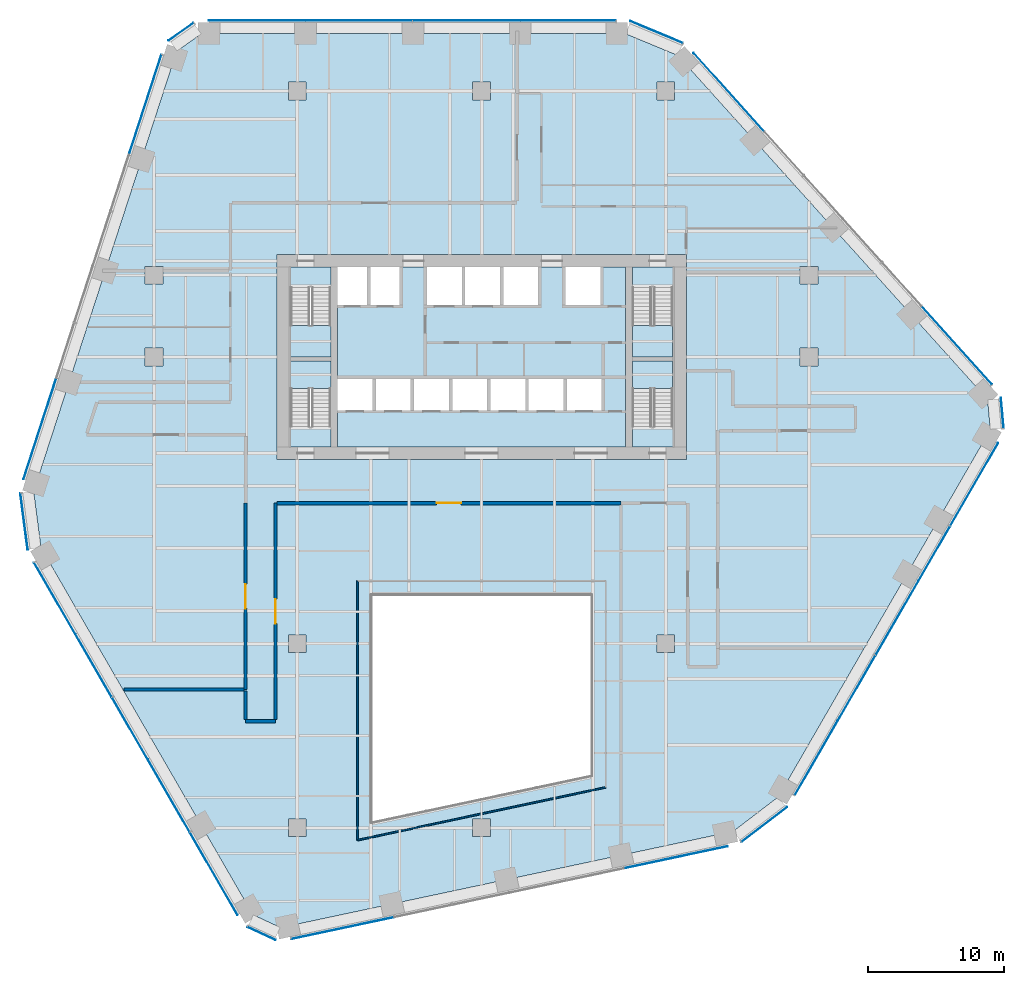
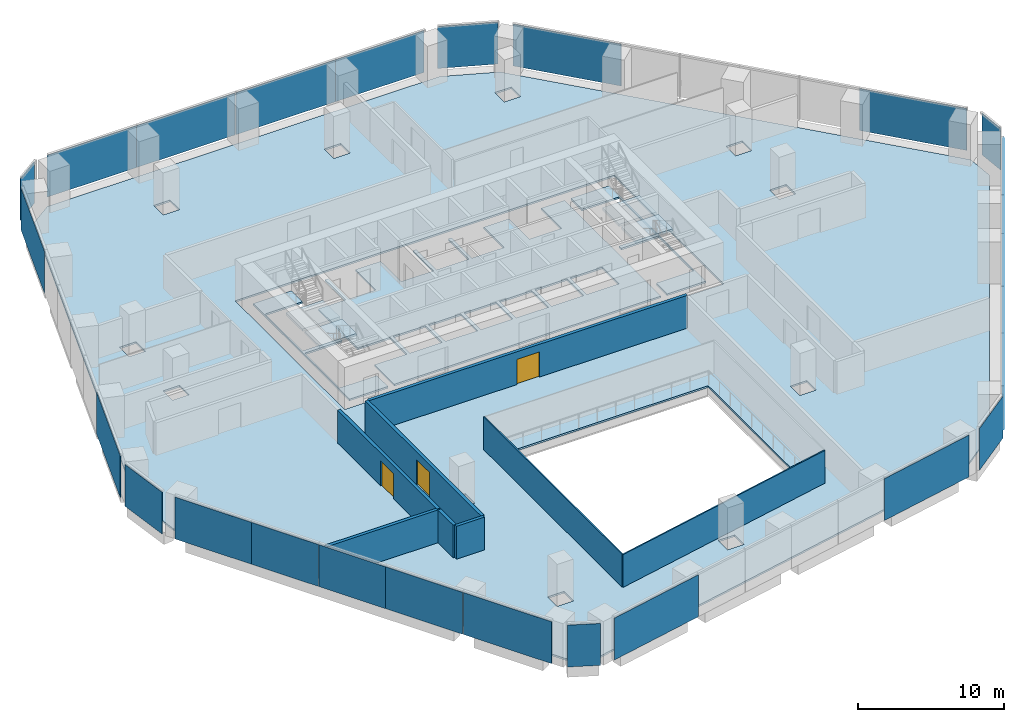
# One storey, part 13 of 19: 26 plates, 8 slabs, 8 walls, 3 doors, 3 openings, 16 elements without a shape of their own.
"""IFC4 building model written with IfcOpenShell, lengths in metres."""

from ifc_helpers import new_model, si_unit, direction, frame, frame_2d, origin, origin_2d, place, context, subcontext, project, spatial, polyline, rectangle, outline, extrude, material, layer, layer_set, type_object, element, fill, aggregate, save


model = new_model("IFC4")

# Units and contexts
model_context = context("Model", 3, precision=1e-05, world=origin(), true_north=direction((0.0, 1.0)))
body_context = subcontext(model_context, "Body", "Model", "MODEL_VIEW")
ifc_project = project(units=[si_unit("LENGTHUNIT", "METRE"), si_unit("AREAUNIT", "SQUARE_METRE"), si_unit("VOLUMEUNIT", "CUBIC_METRE"), si_unit("PLANEANGLEUNIT", "RADIAN"), si_unit("MASSUNIT", "GRAM", prefix="KILO")], contexts=[model_context])

# Site, building, storey
site_placement = place(None, origin())
site = spatial("IfcSite", under=ifc_project, at=site_placement, CompositionType="ELEMENT")
building_placement = place(site_placement, origin())
building = spatial("IfcBuilding", under=site, at=building_placement, Name="Isthmus Gate Tower", CompositionType="ELEMENT")
storey_placement = place(building_placement, frame((0.0, 0.0, 87.949951171875)))
storey = spatial("IfcBuildingStorey", under=building, at=storey_placement, Name="L20", CompositionType="ELEMENT", Elevation=87.949951171875)

# Slabs
ifc_material_1 = material(Name="Concrete f'c 40 MPa", Category="concrete")
ifc_layer_1 = layer(ifc_material_1, 0.14990234375)
ifc_layer_set_1 = layer_set([ifc_layer_1], Name="COMPOSITE FLOOR SLAB 150")
slab_type_1 = type_object("IfcSlabType", Name="COMPOSITE FLOOR SLAB 150", PredefinedType="FLOOR", material=ifc_layer_set_1)
slab_1_placement = place(storey_placement, frame((0.0, 0.0, -0.14990234375)))
element("IfcSlab", 1, at=slab_1_placement, inside=storey, type_object=slab_type_1, Name="str-slab-L20-1", PredefinedType="FLOOR", context=body_context, shape_type="SweptSolid", body=[
    extrude(outline(polyline([(14.391357421875, 29.599365234375), (37.081787109375, 4.399169921875), (37.281494140625, 2.17333984375), (21.748779296875, -24.729736328125), (18.438232421875, -27.262939453125), (-14.73095703125, -34.313232421875), (-16.758544921875, -33.373291015625), (-32.291015625, -6.47021484375), (-32.82958984375, -2.33642578125), (-22.3505859375, 29.9140625), (-20.52294921875, 31.199951171875), (10.542236328125, 31.199951171875), (14.391357421875, 29.599365234375)]), holes=[polyline([(-14.14990234375, -27.64990234375), (-12.85009765625, -27.64990234375), (-12.85009765625, -26.35009765625), (-14.14990234375, -26.35009765625), (-14.14990234375, -27.64990234375)]), polyline([(-0.64990234375, -26.35009765625), (-0.64990234375, -27.64990234375), (0.64990234375, -27.64990234375), (0.64990234375, -26.35009765625), (-0.64990234375, -26.35009765625)]), polyline([(-14.14990234375, -12.85009765625), (-14.14990234375, -14.14990234375), (-12.85009765625, -14.14990234375), (-12.85009765625, -12.85009765625), (-14.14990234375, -12.85009765625)]), polyline([(-24.64990234375, 8.14990234375), (-24.64990234375, 6.85009765625), (-23.35009765625, 6.85009765625), (-23.35009765625, 8.14990234375), (-24.64990234375, 8.14990234375)]), polyline([(-23.35009765625, 14.14990234375), (-24.64990234375, 14.14990234375), (-24.64990234375, 12.85009765625), (-23.35009765625, 12.85009765625), (-23.35009765625, 14.14990234375)]), polyline([(-14.14990234375, 27.64990234375), (-14.14990234375, 26.35009765625), (-12.85009765625, 26.35009765625), (-12.85009765625, 27.64990234375), (-14.14990234375, 27.64990234375)]), polyline([(-0.64990234375, 27.64990234375), (-0.64990234375, 26.35009765625), (0.64990234375, 26.35009765625), (0.64990234375, 27.64990234375), (-0.64990234375, 27.64990234375)]), polyline([(8.0, -23.143310546875), (8.0, -10.0), (-8.0, -10.0), (-8.0, -26.544189453125), (8.0, -23.143310546875)]), polyline([(14.14990234375, -12.85009765625), (12.85009765625, -12.85009765625), (12.85009765625, -14.14990234375), (14.14990234375, -14.14990234375), (14.14990234375, -12.85009765625)]), polyline([(15.0, 15.0), (-15.0, 15.0), (-15.0, 0.0), (15.0, 0.0), (15.0, 15.0)]), polyline([(24.64990234375, 8.14990234375), (23.35009765625, 8.14990234375), (23.35009765625, 6.85009765625), (24.64990234375, 6.85009765625), (24.64990234375, 8.14990234375)]), polyline([(23.35009765625, 14.14990234375), (23.35009765625, 12.85009765625), (24.64990234375, 12.85009765625), (24.64990234375, 14.14990234375), (23.35009765625, 14.14990234375)]), polyline([(14.14990234375, 27.64990234375), (12.85009765625, 27.64990234375), (12.85009765625, 26.35009765625), (14.14990234375, 26.35009765625), (14.14990234375, 27.64990234375)])]), origin(), (0.0, 0.0, 1.0), 0.14990234375),
])
ifc_material_2 = material(Name="Concrete f'c 40 MPa", Category="concrete")
ifc_layer_2 = layer(ifc_material_2, 0.14990234375)
ifc_layer_set_2 = layer_set([ifc_layer_2], Name="CORE FLOOR SLAB 150")
slab_type_2 = type_object("IfcSlabType", Name="CORE FLOOR SLAB 150", PredefinedType="FLOOR", material=ifc_layer_set_2)
slab_2_placement = place(storey_placement, frame((0.0, 0.0, -0.14990234375)))
element("IfcSlab", 2, at=slab_2_placement, inside=storey, type_object=slab_type_2, Name="L20 core floor", PredefinedType="FLOOR", context=body_context, shape_type="SweptSolid", body=[
    extrude(outline(polyline([(-11.050048828125, 0.89990234375), (-11.050048828125, 2.402099609375), (-14.0, 2.402099609375), (-14.0, 7.199951171875), (-11.050048828125, 7.199951171875), (-11.050048828125, 7.5), (-14.0, 7.5), (-14.0, 12.597900390625), (-11.050048828125, 12.597900390625), (-11.050048828125, 14.10009765625), (-14.10009765625, 14.10009765625), (-14.10009765625, 0.89990234375), (-11.050048828125, 0.89990234375)])), origin(), (0.0, 0.0, 1.0), 0.14990234375),
])
slab_3_placement = place(storey_placement, frame((0.0, 0.0, -0.14990234375)))
element("IfcSlab", 3, at=slab_3_placement, inside=storey, type_object=slab_type_2, Name="L20 core floor", PredefinedType="FLOOR", context=body_context, shape_type="SweptSolid", body=[
    extrude(outline(polyline([(10.550048828125, 14.10009765625), (8.699951171875, 14.10009765625), (8.699951171875, 11.300048828125), (6.14990234375, 11.300048828125), (6.14990234375, 14.10009765625), (4.14990234375, 14.10009765625), (4.14990234375, 11.300048828125), (1.60009765625, 11.300048828125), (1.60009765625, 14.10009765625), (1.35009765625, 14.10009765625), (1.35009765625, 11.300048828125), (-1.199951171875, 11.300048828125), (-1.199951171875, 14.10009765625), (-1.449951171875, 14.10009765625), (-1.449951171875, 11.300048828125), (-4.0, 11.300048828125), (-4.0, 14.10009765625), (-6.0, 14.10009765625), (-6.0, 11.300048828125), (-8.14990234375, 11.300048828125), (-8.14990234375, 14.10009765625), (-8.39990234375, 14.10009765625), (-8.39990234375, 11.300048828125), (-10.550048828125, 11.300048828125), (-10.550048828125, 5.89990234375), (-8.0, 5.89990234375), (-8.0, 3.60009765625), (-10.550048828125, 3.60009765625), (-10.550048828125, 0.89990234375), (10.550048828125, 0.89990234375), (10.550048828125, 14.10009765625)]), holes=[polyline([(-5.199951171875, 5.89990234375), (-5.199951171875, 3.60009765625), (-7.75, 3.60009765625), (-7.75, 5.89990234375), (-5.199951171875, 5.89990234375)]), polyline([(-2.39990234375, 5.89990234375), (-2.39990234375, 3.60009765625), (-4.949951171875, 3.60009765625), (-4.949951171875, 5.89990234375), (-2.39990234375, 5.89990234375)]), polyline([(0.39990234375, 5.89990234375), (0.39990234375, 3.60009765625), (-2.14990234375, 3.60009765625), (-2.14990234375, 5.89990234375), (0.39990234375, 5.89990234375)]), polyline([(3.199951171875, 5.89990234375), (3.199951171875, 3.60009765625), (0.64990234375, 3.60009765625), (0.64990234375, 5.89990234375), (3.199951171875, 5.89990234375)]), polyline([(6.0, 5.89990234375), (6.0, 3.60009765625), (3.449951171875, 3.60009765625), (3.449951171875, 5.89990234375), (6.0, 5.89990234375)]), polyline([(8.800048828125, 5.89990234375), (8.800048828125, 3.60009765625), (6.25, 3.60009765625), (6.25, 5.89990234375), (8.800048828125, 5.89990234375)])]), origin(), (0.0, 0.0, 1.0), 0.14990234375),
])
slab_4_placement = place(storey_placement, frame((0.0, 0.0, -0.14990234375)))
element("IfcSlab", 4, at=slab_4_placement, inside=storey, type_object=slab_type_2, Name="L20 core floor", PredefinedType="FLOOR", context=body_context, shape_type="SweptSolid", body=[
    extrude(outline(polyline([(11.050048828125, 14.10009765625), (11.050048828125, 12.597900390625), (14.0, 12.597900390625), (14.0, 7.5), (11.050048828125, 7.5), (11.050048828125, 7.199951171875), (14.0, 7.199951171875), (14.0, 2.402099609375), (11.050048828125, 2.402099609375), (11.050048828125, 0.89990234375), (14.10009765625, 0.89990234375), (14.10009765625, 14.10009765625), (11.050048828125, 14.10009765625)])), origin(), (0.0, 0.0, 1.0), 0.14990234375),
])

# Curtain wall, plates
ifc_material_3 = material(Name="Aluminium, pale champagne anodised", Category="aluminium")
ifc_layer_3 = layer(ifc_material_3, 0.199951171875)
ifc_layer_set_3 = layer_set([ifc_layer_3], Name="CW-1 UNITISED CURTAIN WALL 200 DEEP")
curtain_wall_type = type_object("IfcCurtainWallType", Name="CW-1 UNITISED CURTAIN WALL 200 DEEP", PredefinedType="NOTDEFINED", material=ifc_layer_set_3)
curtain_wall_1_placement = place(storey_placement, origin())
curtain_wall_1 = element("IfcCurtainWall", 5, at=curtain_wall_1_placement, inside=storey, type_object=curtain_wall_type, Name="CW-1 N L20", PredefinedType="NOTDEFINED")
ifc_material_4 = material(Name="Laminated low-iron glass, pale blue tint", Category="glass")
ifc_layer_4 = layer(ifc_material_4, 0.0400390625)
ifc_layer_set_4 = layer_set([ifc_layer_4], Name="CW-1 CLEAR GLASS LITE 40")
plate_type = type_object("IfcPlateType", Name="CW-1 CLEAR GLASS LITE 40", PredefinedType="CURTAIN_PANEL", material=ifc_layer_set_4)
plate_1_placement = place(storey_placement, frame((6.337158203125, 32.179931640625, 0.0), z_axis=(0.0, 0.0, 1.0), x_axis=(-1.0, 0.0, 0.0)))
plate_1 = element("IfcPlate", 6, at=plate_1_placement, type_object=plate_type, Name="CW-1 glass lite", PredefinedType="CURTAIN_PANEL", context=body_context, shape_type="SweptSolid", body=[
    extrude(rectangle(XDim=7.009521484375, YDim=0.0400390625, at=origin_2d()), origin(), (0.0, 0.0, 1.0), 3.5),
])
plate_2_placement = place(storey_placement, frame((-1.1025390625, 32.179931640625, 0.0), z_axis=(0.0, 0.0, 1.0), x_axis=(-1.0, 0.0, 0.0)))
plate_2 = element("IfcPlate", 7, at=plate_2_placement, type_object=plate_type, Name="CW-1 glass lite", PredefinedType="CURTAIN_PANEL", context=body_context, shape_type="SweptSolid", body=[
    extrude(rectangle(XDim=7.86962890625, YDim=0.0400390625, at=origin_2d()), origin(), (0.0, 0.0, 1.0), 3.5),
])
plate_3_placement = place(storey_placement, frame((-9.001953125, 32.179931640625, 0.0), z_axis=(0.0, 0.0, 1.0), x_axis=(-1.0, 0.0, 0.0)))
plate_3 = element("IfcPlate", 8, at=plate_3_placement, type_object=plate_type, Name="CW-1 glass lite", PredefinedType="CURTAIN_PANEL", context=body_context, shape_type="SweptSolid", body=[
    extrude(rectangle(XDim=7.8095703125, YDim=0.0400390625, at=origin_2d()), origin(), (0.0, 0.0, 1.0), 3.5),
])
plate_4_placement = place(storey_placement, frame((-16.44140625, 32.179931640625, 0.0), z_axis=(0.0, 0.0, 1.0), x_axis=(-1.0, 0.0, 0.0)))
plate_4 = element("IfcPlate", 9, at=plate_4_placement, type_object=plate_type, Name="CW-1 glass lite", PredefinedType="CURTAIN_PANEL", context=body_context, shape_type="SweptSolid", body=[
    extrude(rectangle(XDim=7.069580078125, YDim=0.0400390625, at=origin_2d()), origin(), (0.0, 0.0, 1.0), 3.5),
])
aggregate(curtain_wall_1, [plate_1, plate_2, plate_3, plate_4])

# Curtain wall, plate
curtain_wall_2_placement = place(storey_placement, origin())
curtain_wall_2 = element("IfcCurtainWall", 10, at=curtain_wall_2_placement, inside=storey, type_object=curtain_wall_type, Name="CW-1 N-NW L20", PredefinedType="NOTDEFINED")
plate_5_placement = place(storey_placement, frame((-22.025146484375, 31.341552734375, 0.0), z_axis=(0.0, 0.0, 1.0), x_axis=(-0.81785959165, -0.57541783805, 0.0)))
plate_5 = element("IfcPlate", 11, at=plate_5_placement, type_object=plate_type, Name="CW-1 glass lite", PredefinedType="CURTAIN_PANEL", context=body_context, shape_type="SweptSolid", body=[
    extrude(rectangle(XDim=2.258544921875, YDim=0.0400390625, at=origin_2d()), origin(), (0.0, 0.0, 1.0), 3.5),
])
aggregate(curtain_wall_2, [plate_5])

# Curtain wall, plates
curtain_wall_3_placement = place(storey_placement, origin())
curtain_wall_3 = element("IfcCurtainWall", 12, at=curtain_wall_3_placement, inside=storey, type_object=curtain_wall_type, Name="CW-1 NW L20", PredefinedType="NOTDEFINED")
plate_6_placement = place(storey_placement, frame((-24.660400390625, 25.97705078125, 0.0), z_axis=(0.0, 0.0, 1.0), x_axis=(-0.309016994375, -0.951056516295, 0.0)))
plate_6 = element("IfcPlate", 13, at=plate_6_placement, type_object=plate_type, Name="CW-1 glass lite", PredefinedType="CURTAIN_PANEL", context=body_context, shape_type="SweptSolid", body=[
    extrude(rectangle(XDim=7.729248046875, YDim=0.0400390625, at=origin_2d()), origin(), (0.0, 0.0, 1.0), 3.5),
])
plate_7_placement = place(storey_placement, frame((-32.36669921875, 2.259765625, 0.0), z_axis=(0.0, 0.0, 1.0), x_axis=(-0.309016994375, -0.951056516295, 0.0)))
plate_7 = element("IfcPlate", 14, at=plate_7_placement, type_object=plate_type, Name="CW-1 glass lite", PredefinedType="CURTAIN_PANEL", context=body_context, shape_type="SweptSolid", body=[
    extrude(rectangle(XDim=7.789306640625, YDim=0.0400390625, at=origin_2d()), origin(), (0.0, 0.0, 1.0), 3.5),
])
aggregate(curtain_wall_3, [plate_6, plate_7])

# Curtain wall, plate
curtain_wall_4_placement = place(storey_placement, origin())
curtain_wall_4 = element("IfcCurtainWall", 15, at=curtain_wall_4_placement, inside=storey, type_object=curtain_wall_type, Name="CW-1 NW-SW L20", PredefinedType="NOTDEFINED")
plate_8_placement = place(storey_placement, frame((-33.5283203125, -4.558349609375, 0.0), z_axis=(0.0, 0.0, 1.0), x_axis=(0.129164534, -0.991623175988, 0.0)))
plate_8 = element("IfcPlate", 16, at=plate_8_placement, type_object=plate_type, Name="CW-1 glass lite", PredefinedType="CURTAIN_PANEL", context=body_context, shape_type="SweptSolid", body=[
    extrude(rectangle(XDim=4.181396484375, YDim=0.0400390625, at=origin_2d()), origin(), (0.0, 0.0, 1.0), 3.5),
])
aggregate(curtain_wall_4, [plate_8])

# Curtain wall, plates
curtain_wall_5_placement = place(storey_placement, origin())
curtain_wall_5 = element("IfcCurtainWall", 17, at=curtain_wall_5_placement, inside=storey, type_object=curtain_wall_type, Name="CW-1 SW L20", PredefinedType="NOTDEFINED")
plate_9_placement = place(storey_placement, frame((-31.277587890625, -10.185791015625, 0.0), z_axis=(0.0, 0.0, 1.0), x_axis=(0.5, -0.866025403784, 0.0)))
plate_9 = element("IfcPlate", 18, at=plate_9_placement, type_object=plate_type, Name="CW-1 glass lite", PredefinedType="CURTAIN_PANEL", context=body_context, shape_type="SweptSolid", body=[
    extrude(rectangle(XDim=6.048583984375, YDim=0.0400390625, at=origin_2d()), origin(), (0.0, 0.0, 1.0), 3.5),
])
plate_10_placement = place(storey_placement, frame((-28.438232421875, -15.103759765625, 0.0), z_axis=(0.0, 0.0, 1.0), x_axis=(0.5, -0.866025403784, 0.0)))
plate_10 = element("IfcPlate", 19, at=plate_10_placement, type_object=plate_type, Name="CW-1 glass lite", PredefinedType="CURTAIN_PANEL", context=body_context, shape_type="SweptSolid", body=[
    extrude(rectangle(XDim=5.30859375, YDim=0.0400390625, at=origin_2d()), origin(), (0.0, 0.0, 1.0), 3.5),
])
plate_11_placement = place(storey_placement, frame((-25.768798828125, -19.72705078125, 0.0), z_axis=(0.0, 0.0, 1.0), x_axis=(0.5, -0.866025403784, 0.0)))
plate_11 = element("IfcPlate", 20, at=plate_11_placement, type_object=plate_type, Name="CW-1 glass lite", PredefinedType="CURTAIN_PANEL", context=body_context, shape_type="SweptSolid", body=[
    extrude(rectangle(XDim=5.24853515625, YDim=0.0400390625, at=origin_2d()), origin(), (0.0, 0.0, 1.0), 3.5),
])
plate_12_placement = place(storey_placement, frame((-22.929443359375, -24.644775390625, 0.0), z_axis=(0.0, 0.0, 1.0), x_axis=(0.5, -0.866025403784, 0.0)))
plate_12 = element("IfcPlate", 21, at=plate_12_placement, type_object=plate_type, Name="CW-1 glass lite", PredefinedType="CURTAIN_PANEL", context=body_context, shape_type="SweptSolid", body=[
    extrude(rectangle(XDim=6.108642578125, YDim=0.0400390625, at=origin_2d()), origin(), (0.0, 0.0, 1.0), 3.5),
])
plate_13_placement = place(storey_placement, frame((-19.62646484375, -30.365966796875, 0.0), z_axis=(0.0, 0.0, 1.0), x_axis=(0.5, -0.866025403784, 0.0)))
plate_13 = element("IfcPlate", 22, at=plate_13_placement, type_object=plate_type, Name="CW-1 glass lite", PredefinedType="CURTAIN_PANEL", context=body_context, shape_type="SweptSolid", body=[
    extrude(rectangle(XDim=6.983642578125, YDim=0.0400390625, at=origin_2d()), origin(), (0.0, 0.0, 1.0), 3.5),
])
aggregate(curtain_wall_5, [plate_9, plate_10, plate_11, plate_12, plate_13])

# Curtain wall, plate
curtain_wall_6_placement = place(storey_placement, origin())
curtain_wall_6 = element("IfcCurtainWall", 23, at=curtain_wall_6_placement, inside=storey, type_object=curtain_wall_type, Name="CW-1 SW-S L20", PredefinedType="NOTDEFINED")
plate_14_placement = place(storey_placement, frame((-16.1298828125, -34.7451171875, 0.0), z_axis=(0.0, 0.0, 1.0), x_axis=(0.907256261367, -0.420578264073, 0.0)))
plate_14 = element("IfcPlate", 24, at=plate_14_placement, type_object=plate_type, Name="CW-1 glass lite", PredefinedType="CURTAIN_PANEL", context=body_context, shape_type="SweptSolid", body=[
    extrude(rectangle(XDim=2.258544921875, YDim=0.0400390625, at=origin_2d()), origin(), (0.0, 0.0, 1.0), 3.5),
])
aggregate(curtain_wall_6, [plate_14])

# Curtain wall, plates
curtain_wall_7_placement = place(storey_placement, origin())
curtain_wall_7 = element("IfcCurtainWall", 25, at=curtain_wall_7_placement, inside=storey, type_object=curtain_wall_type, Name="CW-1 S L20", PredefinedType="NOTDEFINED")
plate_15_placement = place(storey_placement, frame((-10.166748046875, -34.344970703125, 0.0), z_axis=(0.0, 0.0, 1.0), x_axis=(0.978147600734, 0.207911690818, 0.0)))
plate_15 = element("IfcPlate", 26, at=plate_15_placement, type_object=plate_type, Name="CW-1 glass lite", PredefinedType="CURTAIN_PANEL", context=body_context, shape_type="SweptSolid", body=[
    extrude(rectangle(XDim=7.729248046875, YDim=0.0400390625, at=origin_2d()), origin(), (0.0, 0.0, 1.0), 3.5),
])
plate_16_placement = place(storey_placement, frame((14.226318359375, -29.16015625, 0.0), z_axis=(0.0, 0.0, 1.0), x_axis=(0.978147600734, 0.207911690818, 0.0)))
plate_16 = element("IfcPlate", 27, at=plate_16_placement, type_object=plate_type, Name="CW-1 glass lite", PredefinedType="CURTAIN_PANEL", context=body_context, shape_type="SweptSolid", body=[
    extrude(rectangle(XDim=7.789306640625, YDim=0.0400390625, at=origin_2d()), origin(), (0.0, 0.0, 1.0), 3.5),
])
aggregate(curtain_wall_7, [plate_15, plate_16])

# Curtain wall, plate
curtain_wall_8_placement = place(storey_placement, origin())
curtain_wall_8 = element("IfcCurtainWall", 28, at=curtain_wall_8_placement, inside=storey, type_object=curtain_wall_type, Name="CW-1 S-SE L20", PredefinedType="NOTDEFINED")
plate_17_placement = place(storey_placement, frame((20.711669921875, -26.75732421875, 0.0), z_axis=(0.0, 0.0, 1.0), x_axis=(0.794188594387, 0.607671355706, 0.0)))
plate_17 = element("IfcPlate", 29, at=plate_17_placement, type_object=plate_type, Name="CW-1 glass lite", PredefinedType="CURTAIN_PANEL", context=body_context, shape_type="SweptSolid", body=[
    extrude(rectangle(XDim=4.181396484375, YDim=0.0400390625, at=origin_2d()), origin(), (0.0, 0.0, 1.0), 3.5),
])
aggregate(curtain_wall_8, [plate_17])

# Curtain wall, plates
curtain_wall_9_placement = place(storey_placement, origin())
curtain_wall_9 = element("IfcCurtainWall", 30, at=curtain_wall_9_placement, inside=storey, type_object=curtain_wall_type, Name="CW-1 SE L20", PredefinedType="NOTDEFINED")
plate_18_placement = place(storey_placement, frame((24.517333984375, -21.89453125, 0.0), z_axis=(0.0, 0.0, 1.0), x_axis=(0.5, 0.866025403784, 0.0)))
plate_18 = element("IfcPlate", 31, at=plate_18_placement, type_object=plate_type, Name="CW-1 glass lite", PredefinedType="CURTAIN_PANEL", context=body_context, shape_type="SweptSolid", body=[
    extrude(rectangle(XDim=6.278564453125, YDim=0.0400390625, at=origin_2d()), origin(), (0.0, 0.0, 1.0), 3.5),
])
plate_19_placement = place(storey_placement, frame((27.4716796875, -16.777587890625, 0.0), z_axis=(0.0, 0.0, 1.0), x_axis=(0.5, 0.866025403784, 0.0)))
plate_19 = element("IfcPlate", 32, at=plate_19_placement, type_object=plate_type, Name="CW-1 glass lite", PredefinedType="CURTAIN_PANEL", context=body_context, shape_type="SweptSolid", body=[
    extrude(rectangle(XDim=5.53857421875, YDim=0.0400390625, at=origin_2d()), origin(), (0.0, 0.0, 1.0), 3.5),
])
plate_20_placement = place(storey_placement, frame((30.4560546875, -11.608642578125, 0.0), z_axis=(0.0, 0.0, 1.0), x_axis=(0.5, 0.866025403784, 0.0)))
plate_20 = element("IfcPlate", 33, at=plate_20_placement, type_object=plate_type, Name="CW-1 glass lite", PredefinedType="CURTAIN_PANEL", context=body_context, shape_type="SweptSolid", body=[
    extrude(rectangle(XDim=6.278564453125, YDim=0.0400390625, at=origin_2d()), origin(), (0.0, 0.0, 1.0), 3.5),
])
plate_21_placement = place(storey_placement, frame((33.173828125, -6.901123046875, 0.0), z_axis=(0.0, 0.0, 1.0), x_axis=(0.5, 0.866025403784, 0.0)))
plate_21 = element("IfcPlate", 34, at=plate_21_placement, type_object=plate_type, Name="CW-1 glass lite", PredefinedType="CURTAIN_PANEL", context=body_context, shape_type="SweptSolid", body=[
    extrude(rectangle(XDim=4.5927734375, YDim=0.0400390625, at=origin_2d()), origin(), (0.0, 0.0, 1.0), 3.5),
])
plate_22_placement = place(storey_placement, frame((36.1044921875, -1.8251953125, 0.0), z_axis=(0.0, 0.0, 1.0), x_axis=(0.5, 0.866025403784, 0.0)))
plate_22 = element("IfcPlate", 35, at=plate_22_placement, type_object=plate_type, Name="CW-1 glass lite", PredefinedType="CURTAIN_PANEL", context=body_context, shape_type="SweptSolid", body=[
    extrude(rectangle(XDim=7.009521484375, YDim=0.0400390625, at=origin_2d()), origin(), (0.0, 0.0, 1.0), 3.5),
])
aggregate(curtain_wall_9, [plate_18, plate_19, plate_20, plate_21, plate_22])

# Curtain wall, plate
curtain_wall_10_placement = place(storey_placement, origin())
curtain_wall_10 = element("IfcCurtainWall", 36, at=curtain_wall_10_placement, inside=storey, type_object=curtain_wall_type, Name="CW-1 SE-NE L20", PredefinedType="NOTDEFINED")
plate_23_placement = place(storey_placement, frame((38.155029296875, 3.403564453125, 0.0), z_axis=(0.0, 0.0, 1.0), x_axis=(-0.089396669717, 0.995996102123, 0.0)))
plate_23 = element("IfcPlate", 37, at=plate_23_placement, type_object=plate_type, Name="CW-1 glass lite", PredefinedType="CURTAIN_PANEL", context=body_context, shape_type="SweptSolid", body=[
    extrude(rectangle(XDim=2.258544921875, YDim=0.0400390625, at=origin_2d()), origin(), (0.0, 0.0, 1.0), 3.5),
])
aggregate(curtain_wall_10, [plate_23])

# Curtain wall, plates
curtain_wall_11_placement = place(storey_placement, origin())
curtain_wall_11 = element("IfcCurtainWall", 38, at=curtain_wall_11_placement, inside=storey, type_object=curtain_wall_type, Name="CW-1 NE L20", PredefinedType="NOTDEFINED")
plate_24_placement = place(storey_placement, frame((34.826904296875, 8.367919921875, 0.0), z_axis=(0.0, 0.0, 1.0), x_axis=(-0.669130606359, 0.743144825477, 0.0)))
plate_24 = element("IfcPlate", 39, at=plate_24_placement, type_object=plate_type, Name="CW-1 glass lite", PredefinedType="CURTAIN_PANEL", context=body_context, shape_type="SweptSolid", body=[
    extrude(rectangle(XDim=7.729248046875, YDim=0.0400390625, at=origin_2d()), origin(), (0.0, 0.0, 1.0), 3.5),
])
plate_25_placement = place(storey_placement, frame((18.14013671875, 26.900390625, 0.0), z_axis=(0.0, 0.0, 1.0), x_axis=(-0.669130606359, 0.743144825477, 0.0)))
plate_25 = element("IfcPlate", 40, at=plate_25_placement, type_object=plate_type, Name="CW-1 glass lite", PredefinedType="CURTAIN_PANEL", context=body_context, shape_type="SweptSolid", body=[
    extrude(rectangle(XDim=7.789306640625, YDim=0.0400390625, at=origin_2d()), origin(), (0.0, 0.0, 1.0), 3.5),
])
aggregate(curtain_wall_11, [plate_24, plate_25])

# Curtain wall, plate
curtain_wall_12_placement = place(storey_placement, origin())
curtain_wall_12 = element("IfcCurtainWall", 41, at=curtain_wall_12_placement, inside=storey, type_object=curtain_wall_type, Name="CW-1 NE-N L20", PredefinedType="NOTDEFINED")
plate_26_placement = place(storey_placement, frame((12.816650390625, 31.315673828125, 0.0), z_axis=(0.0, 0.0, 1.0), x_axis=(-0.923353128387, 0.383951820282, 0.0)))
plate_26 = element("IfcPlate", 42, at=plate_26_placement, type_object=plate_type, Name="CW-1 glass lite", PredefinedType="CURTAIN_PANEL", context=body_context, shape_type="SweptSolid", body=[
    extrude(rectangle(XDim=4.181396484375, YDim=0.0400390625, at=origin_2d()), origin(), (0.0, 0.0, 1.0), 3.5),
])
aggregate(curtain_wall_12, [plate_26])

# Stair, slab
ifc_material_5 = material(Name="Concrete f'c 40 MPa", Category="concrete")
stair_type = type_object("IfcStairType", Name="CORE STAIR 22 RISERS", PredefinedType="HALF_TURN_STAIR", material=ifc_material_5)
stair_1_placement = place(storey_placement, origin())
stair_1 = element("IfcStair", 43, at=stair_1_placement, inside=storey, type_object=stair_type, Name="L20 Exit Stair 1", PredefinedType="HALF_TURN_STAIR")
ifc_material_6 = material(Name="Concrete f'c 40 MPa", Category="concrete")
ifc_layer_5 = layer(ifc_material_6, 0.199951171875)
ifc_layer_set_5 = layer_set([ifc_layer_5])
slab_type_3 = type_object("IfcSlabType", Name="STAIR LANDING RC 200", PredefinedType="LANDING", material=ifc_layer_set_5)
slab_5_placement = place(storey_placement, frame((0.0, 0.0, 1.625)))
slab_5 = element("IfcSlab", 44, at=slab_5_placement, type_object=slab_type_3, Name="ST1 landing 1", PredefinedType="LANDING", context=body_context, shape_type="SweptSolid", body=[
    extrude(outline(polyline([(-14.0, 9.800048828125), (-14.0, 7.5), (-11.050048828125, 7.5), (-11.050048828125, 9.800048828125), (-14.0, 9.800048828125)])), origin(), (0.0, 0.0, 1.0), 0.199951171875),
])
aggregate(stair_1, [slab_5])

stair_2_placement = place(storey_placement, origin())
stair_2 = element("IfcStair", 45, at=stair_2_placement, inside=storey, type_object=stair_type, Name="L20 Exit Stair 2", PredefinedType="HALF_TURN_STAIR")
slab_6_placement = place(storey_placement, frame((0.0, 0.0, 1.625)))
slab_6 = element("IfcSlab", 46, at=slab_6_placement, type_object=slab_type_3, Name="ST2 landing 1", PredefinedType="LANDING", context=body_context, shape_type="SweptSolid", body=[
    extrude(outline(polyline([(11.050048828125, 9.800048828125), (11.050048828125, 7.5), (14.0, 7.5), (14.0, 9.800048828125), (11.050048828125, 9.800048828125)])), origin(), (0.0, 0.0, 1.0), 0.199951171875),
])
aggregate(stair_2, [slab_6])

stair_3_placement = place(storey_placement, origin())
stair_3 = element("IfcStair", 47, at=stair_3_placement, inside=storey, type_object=stair_type, Name="L20 Exit Stair 7", PredefinedType="HALF_TURN_STAIR")
slab_7_placement = place(storey_placement, frame((0.0, 0.0, 1.625)))
slab_7 = element("IfcSlab", 48, at=slab_7_placement, type_object=slab_type_3, Name="ST7 landing 1", PredefinedType="LANDING", context=body_context, shape_type="SweptSolid", body=[
    extrude(outline(polyline([(-11.050048828125, 5.199951171875), (-11.050048828125, 7.199951171875), (-14.0, 7.199951171875), (-14.0, 5.199951171875), (-11.050048828125, 5.199951171875)])), origin(), (0.0, 0.0, 1.0), 0.199951171875),
])
aggregate(stair_3, [slab_7])

stair_4_placement = place(storey_placement, origin())
stair_4 = element("IfcStair", 49, at=stair_4_placement, inside=storey, type_object=stair_type, Name="L20 Exit Stair 8", PredefinedType="HALF_TURN_STAIR")
slab_8_placement = place(storey_placement, frame((0.0, 0.0, 1.625)))
slab_8 = element("IfcSlab", 50, at=slab_8_placement, type_object=slab_type_3, Name="ST8 landing 1", PredefinedType="LANDING", context=body_context, shape_type="SweptSolid", body=[
    extrude(outline(polyline([(14.0, 5.199951171875), (14.0, 7.199951171875), (11.050048828125, 7.199951171875), (11.050048828125, 5.199951171875), (14.0, 5.199951171875)])), origin(), (0.0, 0.0, 1.0), 0.199951171875),
])
aggregate(stair_4, [slab_8])

# Wall, opening, door
ifc_material_7 = material(Name="Double-leaf acoustic stud wall, fire-rated", Category="gypsum")
ifc_layer_6 = layer(ifc_material_7, 0.25)
ifc_layer_set_6 = layer_set([ifc_layer_6], Name="ACOUSTIC WALL 250 60 MIN")
wall_type_1 = type_object("IfcWallType", Name="ACOUSTIC WALL 250 60 MIN", PredefinedType="PARTITIONING", material=ifc_layer_set_6)
wall_1_placement = place(storey_placement, frame((10.212890625, -3.199951171875, 0.0), z_axis=(0.0, 0.0, 1.0), x_axis=(-1.0, 0.0, 0.0)))
wall_1 = element("IfcWall", 51, at=wall_1_placement, inside=storey, type_object=wall_type_1, Name="L20 Acoustic Wall 250 60 Min", PredefinedType="PARTITIONING", context=body_context, shape_type="SweptSolid", body=[
    extrude(rectangle(XDim=25.18798828125, YDim=0.25, at=frame_2d((12.593994140625, 0.0))), origin(), (0.0, 0.0, 1.0), 2.7412109375),
])
opening_1_placement = place(wall_1_placement, frame((11.70654296875, 0.0, 0.0)))
opening_1 = element("IfcOpeningElement", 52, at=opening_1_placement, cuts=wall_1, Name="Opening DT-T2A-12", PredefinedType="OPENING", context=body_context, shape_type="SweptSolid", body=[
    extrude(rectangle(XDim=1.800048828125, YDim=2.10009765625, at=frame_2d((0.89990234375, 1.050048828125))), frame((0.0, 0.135009765625, 0.0), z_axis=(0.0, -1.0, 0.0), x_axis=(1.0, 0.0, 0.0)), (0.0, 0.0, 1.0), 0.27001953125),
])
ifc_material_8 = material(Name="Solid core timber door leaf, fire-rated", Category="wood")
door_type = type_object("IfcDoorType", Name="FIRE DOOR ACOUSTIC ROOM 1800 X 2100 60 MIN", OperationType="DOUBLE_DOOR_DOUBLE_SWING", PredefinedType="DOOR", material=ifc_material_8)
door_1_placement = place(opening_1_placement, origin())
door_1 = element("IfcDoor", 53, at=door_1_placement, inside=storey, type_object=door_type, Name="L20 room door", OperationType="DOUBLE_DOOR_DOUBLE_SWING", OverallHeight=2.10009765625, OverallWidth=1.800048828125, PredefinedType="DOOR", context=body_context, shape_type="SweptSolid", body=[
    extrude(rectangle(XDim=1.800048828125, YDim=2.10009765625, at=frame_2d((0.89990234375, 1.050048828125))), frame((0.0, 0.02490234375, 0.0), z_axis=(0.0, -1.0, 0.0), x_axis=(1.0, 0.0, 0.0)), (0.0, 0.0, 1.0), 0.050048828125),
])
fill(opening_1, door_1)

# Wall
wall_2_placement = place(storey_placement, frame((-15.10009765625, -19.199951171875, 0.0), z_axis=(0.0, 0.0, 1.0), x_axis=(-1.0, 0.0, 0.0)))
element("IfcWall", 54, at=wall_2_placement, inside=storey, type_object=wall_type_1, Name="L20 Acoustic Wall 250 60 Min", PredefinedType="PARTITIONING", context=body_context, shape_type="SweptSolid", body=[
    extrude(rectangle(XDim=2.199951171875, YDim=0.25, at=frame_2d((1.10009765625, 0.0))), origin(), (0.0, 0.0, 1.0), 2.7412109375),
])

# Wall, opening, door
wall_3_placement = place(storey_placement, frame((-15.10009765625, -3.199951171875, 0.0), z_axis=(0.0, 0.0, 1.0), x_axis=(0.0, -1.0, 0.0)))
wall_3 = element("IfcWall", 55, at=wall_3_placement, inside=storey, type_object=wall_type_1, Name="L20 Acoustic Wall 250 60 Min", PredefinedType="PARTITIONING", context=body_context, shape_type="SweptSolid", body=[
    extrude(rectangle(XDim=15.875, YDim=0.25, at=frame_2d((7.9375, 0.0))), origin(), (0.0, 0.0, 1.0), 2.7412109375),
])
opening_2_placement = place(wall_3_placement, frame((7.03759765625, 0.0, 0.0)))
opening_2 = element("IfcOpeningElement", 56, at=opening_2_placement, cuts=wall_3, Name="Opening DT-T2A-13", PredefinedType="OPENING", context=body_context, shape_type="SweptSolid", body=[
    extrude(rectangle(XDim=1.800048828125, YDim=2.10009765625, at=frame_2d((0.89990234375, 1.050048828125))), frame((0.0, 0.135009765625, 0.0), z_axis=(0.0, -1.0, 0.0), x_axis=(1.0, 0.0, 0.0)), (0.0, 0.0, 1.0), 0.27001953125),
])
door_2_placement = place(opening_2_placement, origin())
door_2 = element("IfcDoor", 57, at=door_2_placement, inside=storey, type_object=door_type, Name="L20 room door", OperationType="DOUBLE_DOOR_DOUBLE_SWING", OverallHeight=2.10009765625, OverallWidth=1.800048828125, PredefinedType="DOOR", context=body_context, shape_type="SweptSolid", body=[
    extrude(rectangle(XDim=1.800048828125, YDim=2.10009765625, at=frame_2d((0.89990234375, 1.050048828125))), frame((0.0, 0.02490234375, 0.0), z_axis=(0.0, -1.0, 0.0), x_axis=(1.0, 0.0, 0.0)), (0.0, 0.0, 1.0), 0.050048828125),
])
fill(opening_2, door_2)

wall_4_placement = place(storey_placement, frame((-17.300048828125, -16.862060546875, 0.0), z_axis=(0.0, 0.0, 1.0), x_axis=(0.0, 1.0, 0.0)))
wall_4 = element("IfcWall", 58, at=wall_4_placement, inside=storey, type_object=wall_type_1, Name="L20 Acoustic Wall 250 60 Min", PredefinedType="PARTITIONING", context=body_context, shape_type="SweptSolid", body=[
    extrude(rectangle(XDim=13.66015625, YDim=0.25, at=frame_2d((6.830078125, 0.0))), origin(), (0.0, 0.0, 1.0), 2.7412109375),
])
opening_3_placement = place(wall_4_placement, frame((5.929931640625, 0.0, 0.0)))
opening_3 = element("IfcOpeningElement", 59, at=opening_3_placement, cuts=wall_4, Name="Opening DT-T2A-10", PredefinedType="OPENING", context=body_context, shape_type="SweptSolid", body=[
    extrude(rectangle(XDim=1.800048828125, YDim=2.10009765625, at=frame_2d((0.89990234375, 1.050048828125))), frame((0.0, 0.135009765625, 0.0), z_axis=(0.0, -1.0, 0.0), x_axis=(1.0, 0.0, 0.0)), (0.0, 0.0, 1.0), 0.27001953125),
])
door_3_placement = place(opening_3_placement, origin())
door_3 = element("IfcDoor", 60, at=door_3_placement, inside=storey, type_object=door_type, Name="L20 room door", OperationType="DOUBLE_DOOR_DOUBLE_SWING", OverallHeight=2.10009765625, OverallWidth=1.800048828125, PredefinedType="DOOR", context=body_context, shape_type="SweptSolid", body=[
    extrude(rectangle(XDim=1.800048828125, YDim=2.10009765625, at=frame_2d((0.89990234375, 1.050048828125))), frame((0.0, 0.02490234375, 0.0), z_axis=(0.0, -1.0, 0.0), x_axis=(1.0, 0.0, 0.0)), (0.0, 0.0, 1.0), 0.050048828125),
])
fill(opening_3, door_3)

# Walls
wall_5_placement = place(storey_placement, frame((-26.221923828125, -16.862060546875, 0.0), z_axis=(0.0, 0.0, 1.0), x_axis=(1.0, 0.0, 0.0)))
element("IfcWall", 61, at=wall_5_placement, inside=storey, type_object=wall_type_1, Name="L20 Acoustic Wall 250 60 Min", PredefinedType="PARTITIONING", context=body_context, shape_type="SweptSolid", body=[
    extrude(rectangle(XDim=8.796875, YDim=0.25, at=frame_2d((4.3984375, 0.0))), origin(), (0.0, 0.0, 1.0), 2.7412109375),
])
wall_6_placement = place(storey_placement, frame((-17.300048828125, -19.074951171875, 0.0), z_axis=(0.0, 0.0, 1.0), x_axis=(0.0, 1.0, 0.0)))
element("IfcWall", 62, at=wall_6_placement, inside=storey, type_object=wall_type_1, Name="L20 Acoustic Wall 250 60 Min", PredefinedType="PARTITIONING", context=body_context, shape_type="SweptSolid", body=[
    extrude(rectangle(XDim=2.087890625, YDim=0.25, at=frame_2d((1.0439453125, 0.0))), origin(), (0.0, 0.0, 1.0), 2.7412109375),
])
ifc_material_9 = material(Name="Fire-rated laminated glass in steel frame", Category="steel")
ifc_layer_7 = layer(ifc_material_9, 0.10009765625)
ifc_layer_set_7 = layer_set([ifc_layer_7], Name="ATRIUM SCREEN GLAZED WALL 100 120 MIN")
wall_type_2 = type_object("IfcWallType", Name="ATRIUM SCREEN GLAZED WALL 100 120 MIN", PredefinedType="PARTITIONING", material=ifc_layer_set_7)
wall_7_placement = place(storey_placement, frame((9.10009765625, -24.033935546875, 0.0), z_axis=(0.0, 0.0, 1.0), x_axis=(-0.978146710971, -0.207915876778, 0.0)))
element("IfcWall", 63, at=wall_7_placement, inside=storey, type_object=wall_type_2, Name="L20 atrium screen", PredefinedType="PARTITIONING", context=body_context, shape_type="SweptSolid", body=[
    extrude(rectangle(XDim=18.60693359375, YDim=0.10009765625, at=frame_2d((9.303466796875, 0.0))), origin(), (0.0, 0.0, 1.0), 2.7412109375),
])
wall_8_placement = place(storey_placement, frame((-9.10009765625, -27.902587890625, 0.0), z_axis=(0.0, 0.0, 1.0), x_axis=(0.0, 1.0, 0.0)))
element("IfcWall", 64, at=wall_8_placement, inside=storey, type_object=wall_type_2, Name="L20 atrium screen", PredefinedType="PARTITIONING", context=body_context, shape_type="SweptSolid", body=[
    extrude(rectangle(XDim=19.002685546875, YDim=0.10009765625, at=frame_2d((9.50146484375, 0.0))), origin(), (0.0, 0.0, 1.0), 2.7412109375),
])

save(model, "model.ifc")
